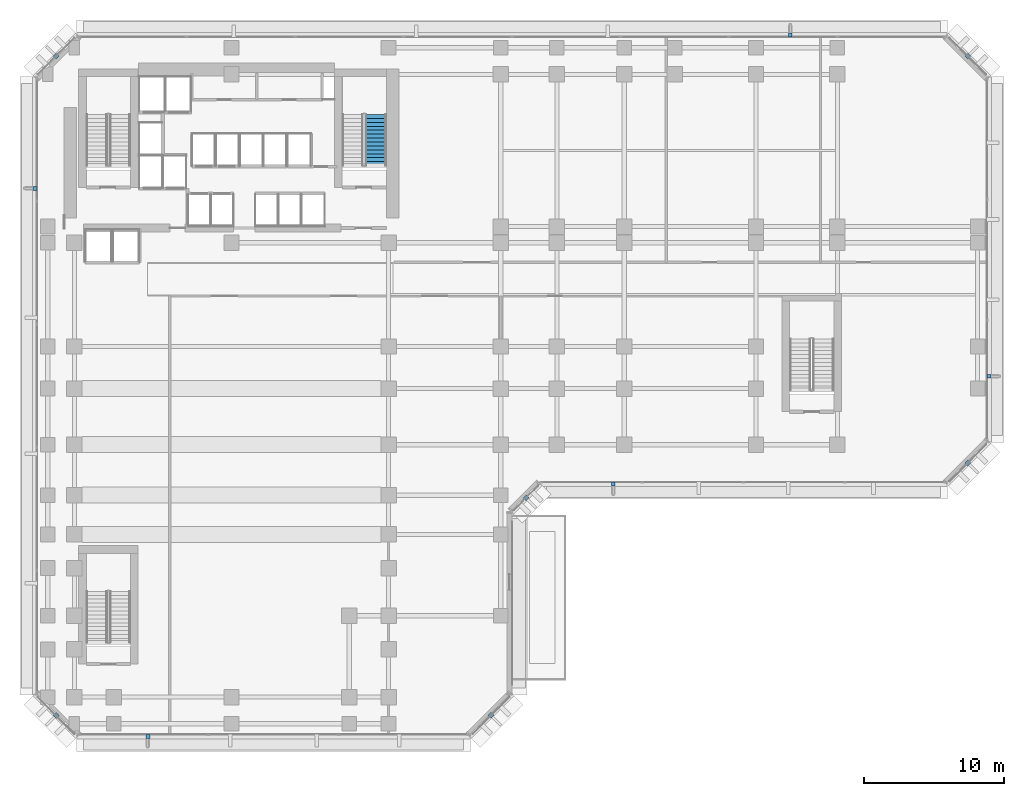
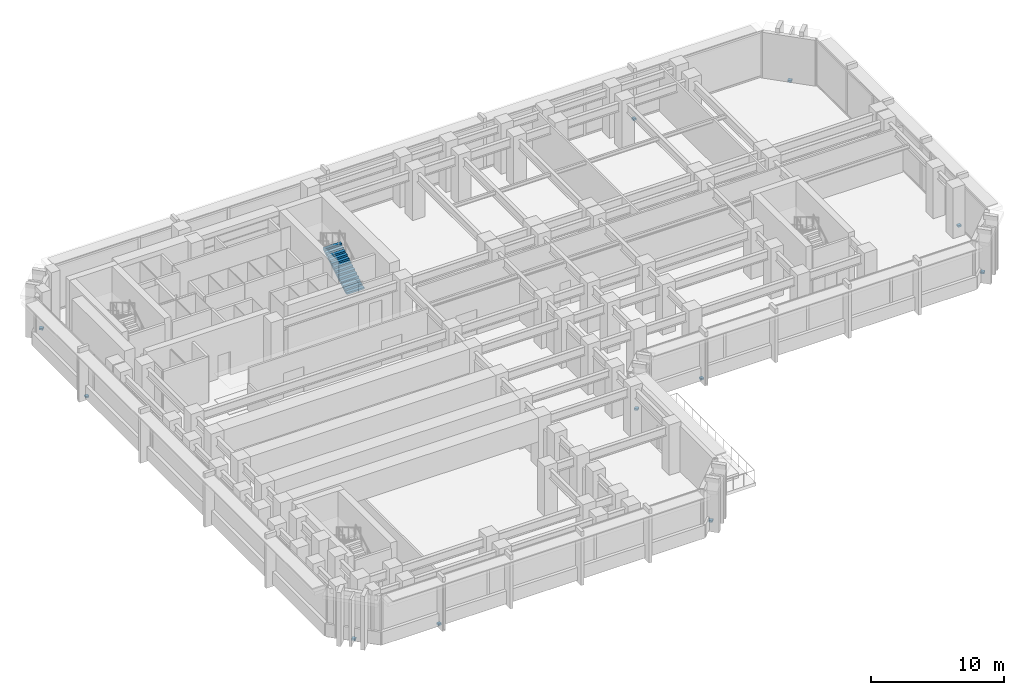
# One storey, part 9 of 16: 11 discrete accessories, 1 stair flight, 1 element without a shape of its own.
"""IFC4 building model written with IfcOpenShell, lengths in metres."""

from ifc_helpers import new_model, si_unit, direction, frame, origin, origin_2d, place, context, subcontext, project, spatial, polyline, rectangle, outline, extrude, material, layer, layer_set, type_object, element, aggregate, save


model = new_model("IFC4")

# Units and contexts
model_context = context("Model", 3, precision=1e-05, world=origin(), true_north=direction((0.0, 1.0)))
body_context = subcontext(model_context, "Body", "Model", "MODEL_VIEW")
ifc_project = project(units=[si_unit("LENGTHUNIT", "METRE"), si_unit("AREAUNIT", "SQUARE_METRE"), si_unit("VOLUMEUNIT", "CUBIC_METRE"), si_unit("PLANEANGLEUNIT", "RADIAN"), si_unit("MASSUNIT", "GRAM", prefix="KILO")], contexts=[model_context])

# Site, building, storey
site_placement = place(None, origin())
site = spatial("IfcSite", under=ifc_project, at=site_placement, CompositionType="ELEMENT")
building_placement = place(site_placement, origin())
building = spatial("IfcBuilding", under=site, at=building_placement, Name="Kefirva Bronze Tower", CompositionType="ELEMENT")
storey_placement = place(building_placement, frame((0.0, 0.0, 21.1201171875)))
storey = spatial("IfcBuildingStorey", under=building, at=storey_placement, Name="L04", CompositionType="ELEMENT", Elevation=21.1201171875)

# Stair, stair flight
ifc_material_1 = material(Name="Concrete C40/50", Category="concrete")
stair_type = type_object("IfcStairType", Name="RC Dogleg Protected Stair 28R", PredefinedType="HALF_TURN_STAIR", material=ifc_material_1)
stair_placement = place(storey_placement, origin())
stair = element("IfcStair", 1, at=stair_placement, inside=storey, type_object=stair_type, Name="L04 Protected Exit Stair 2", PredefinedType="HALF_TURN_STAIR")
stair_flight_type = type_object("IfcStairFlightType", Name="RC Straight Stair Flight 28R", PredefinedType="STRAIGHT", material=ifc_material_1)
stair_flight_placement = place(storey_placement, frame((22.300048828125, 38.699951171875, 0.0), z_axis=(0.0, 0.0, 1.0), x_axis=(0.0, 1.0, 0.0)))
stair_flight = element("IfcStairFlight", 2, at=stair_flight_placement, type_object=stair_flight_type, Name="ST-2 flight 1", NumberOfRisers=14, NumberOfTreads=13, PredefinedType="STRAIGHT", RiserHeight=0.165, TreadLength=0.28, context=body_context, shape_type="SweptSolid", body=[
    extrude(outline(polyline([(0.0, 0.0), (0.0, 0.1650390625), (0.280029296875, 0.1650390625), (0.280029296875, 0.330078125), (0.56005859375, 0.330078125), (0.56005859375, 0.4951171875), (0.840087890625, 0.4951171875), (0.840087890625, 0.659912109375), (1.1201171875, 0.659912109375), (1.1201171875, 0.824951171875), (1.39990234375, 0.824951171875), (1.39990234375, 0.989990234375), (1.679931640625, 0.989990234375), (1.679931640625, 1.155029296875), (1.9599609375, 1.155029296875), (1.9599609375, 1.320068359375), (2.239990234375, 1.320068359375), (2.239990234375, 1.485107421875), (2.52001953125, 1.485107421875), (2.52001953125, 1.64990234375), (2.800048828125, 1.64990234375), (2.800048828125, 1.81494140625), (3.080078125, 1.81494140625), (3.080078125, 1.97998046875), (3.360107421875, 1.97998046875), (3.360107421875, 2.14501953125), (3.639892578125, 2.14501953125), (3.639892578125, 2.31005859375), (3.639892578125, 1.970947265625), (0.295166015625, 0.0), (0.0, 0.0)])), frame((0.0, 0.75, 0.0), z_axis=(0.0, -1.0, 0.0), x_axis=(1.0, 0.0, 0.0)), (0.0, 0.0, 1.0), 1.5),
])
aggregate(stair, [stair_flight])

# Discrete accessories
ifc_material_2 = material(Name="Stainless steel 316", Category="steel")
ifc_layer = layer(ifc_material_2, 0.159912109375, Name="Stainless steel 316")
ifc_layer_set = layer_set([ifc_layer], Name="Stainless steel 316")
discrete_accessory_type = type_object("IfcDiscreteAccessoryType", Name="Stainless Facade Outrigger Bracket", PredefinedType="BRACKET", material=ifc_layer_set)
discrete_accessory_1_placement = place(storey_placement, frame((6.0400390625, -2.0, -0.16015625), z_axis=(0.0, 0.0, 1.0), x_axis=(1.0, 0.0, 0.0)))
element("IfcDiscreteAccessory", 3, at=discrete_accessory_1_placement, inside=storey, type_object=discrete_accessory_type, Name="L04 Rib Outrigger Bracket 1", PredefinedType="BRACKET", context=body_context, shape_type="SweptSolid", body=[
    extrude(rectangle(XDim=0.280029296875, YDim=0.280029296875, at=origin_2d()), origin(), (0.0, 0.0, 1.0), 0.159912109375),
])
for number, where, z_axis, x_axis, name in (
    (4, (30.5, -0.5, -0.16015625), (0.0, 0.0, 1.0), (0.707106781187, 0.707106781187, 0.0), "L04 Corner Fin Outrigger Bracket 6"),
    (5, (33.0, 15.0, -0.16015625), (0.0, 0.0, 1.0), (0.707106781187, 0.707106781187, 0.0), "L04 Corner Fin Outrigger Bracket 8"),
):
    element("IfcDiscreteAccessory", number, at=place(storey_placement, frame(where, z_axis=z_axis, x_axis=x_axis)), inside=storey, type_object=discrete_accessory_type, Name=name, PredefinedType="BRACKET", context=body_context, shape_type="SweptSolid", body=[
        extrude(rectangle(XDim=0.300048828125, YDim=0.300048828125, at=origin_2d()), origin(), (0.0, 0.0, 1.0), 0.159912109375),
    ])
discrete_accessory_2_placement = place(storey_placement, frame((39.219970703125, 16.0, -0.16015625), z_axis=(0.0, 0.0, 1.0), x_axis=(1.0, 0.0, 0.0)))
element("IfcDiscreteAccessory", 6, at=discrete_accessory_2_placement, inside=storey, type_object=discrete_accessory_type, Name="L04 Rib Outrigger Bracket 9", PredefinedType="BRACKET", context=body_context, shape_type="SweptSolid", body=[
    extrude(rectangle(XDim=0.280029296875, YDim=0.280029296875, at=origin_2d()), origin(), (0.0, 0.0, 1.0), 0.159912109375),
])
discrete_accessory_3_placement = place(storey_placement, frame((64.5, 17.5, -0.16015625), z_axis=(0.0, 0.0, 1.0), x_axis=(0.707106781187, 0.707106781187, 0.0)))
element("IfcDiscreteAccessory", 7, at=discrete_accessory_3_placement, inside=storey, type_object=discrete_accessory_type, Name="L04 Corner Fin Outrigger Bracket 14", PredefinedType="BRACKET", context=body_context, shape_type="SweptSolid", body=[
    extrude(rectangle(XDim=0.300048828125, YDim=0.300048828125, at=origin_2d()), origin(), (0.0, 0.0, 1.0), 0.159912109375),
])
discrete_accessory_4_placement = place(storey_placement, frame((66.0, 23.679931640625, -0.16015625), z_axis=(0.0, 0.0, 1.0), x_axis=(0.0, 1.0, 0.0)))
element("IfcDiscreteAccessory", 8, at=discrete_accessory_4_placement, inside=storey, type_object=discrete_accessory_type, Name="L04 Rib Outrigger Bracket 15", PredefinedType="BRACKET", context=body_context, shape_type="SweptSolid", body=[
    extrude(rectangle(XDim=0.280029296875, YDim=0.280029296875, at=origin_2d()), origin(), (0.0, 0.0, 1.0), 0.159912109375),
])
discrete_accessory_5_placement = place(storey_placement, frame((64.5, 46.5, -0.16015625), z_axis=(0.0, 0.0, 1.0), x_axis=(-0.707106781187, 0.707106781187, 0.0)))
element("IfcDiscreteAccessory", 9, at=discrete_accessory_5_placement, inside=storey, type_object=discrete_accessory_type, Name="L04 Corner Fin Outrigger Bracket 20", PredefinedType="BRACKET", context=body_context, shape_type="SweptSolid", body=[
    extrude(rectangle(XDim=0.300048828125, YDim=0.300048828125, at=origin_2d()), origin(), (0.0, 0.0, 1.0), 0.159912109375),
])
discrete_accessory_6_placement = place(storey_placement, frame((51.840087890625, 48.0, -0.16015625), z_axis=(0.0, 0.0, 1.0), x_axis=(-1.0, 0.0, 0.0)))
element("IfcDiscreteAccessory", 10, at=discrete_accessory_6_placement, inside=storey, type_object=discrete_accessory_type, Name="L04 Rib Outrigger Bracket 21", PredefinedType="BRACKET", context=body_context, shape_type="SweptSolid", body=[
    extrude(rectangle(XDim=0.280029296875, YDim=0.280029296875, at=origin_2d()), origin(), (0.0, 0.0, 1.0), 0.159912109375),
])
discrete_accessory_7_placement = place(storey_placement, frame((-0.5, 46.5, -0.16015625), z_axis=(0.0, 0.0, 1.0), x_axis=(-0.707106781187, -0.707106781187, 0.0)))
element("IfcDiscreteAccessory", 11, at=discrete_accessory_7_placement, inside=storey, type_object=discrete_accessory_type, Name="L04 Corner Fin Outrigger Bracket 26", PredefinedType="BRACKET", context=body_context, shape_type="SweptSolid", body=[
    extrude(rectangle(XDim=0.300048828125, YDim=0.300048828125, at=origin_2d()), origin(), (0.0, 0.0, 1.0), 0.159912109375),
])
discrete_accessory_8_placement = place(storey_placement, frame((-2.0, 37.080078125, -0.16015625), z_axis=(0.0, 0.0, 1.0), x_axis=(0.0, -1.0, 0.0)))
element("IfcDiscreteAccessory", 12, at=discrete_accessory_8_placement, inside=storey, type_object=discrete_accessory_type, Name="L04 Rib Outrigger Bracket 27", PredefinedType="BRACKET", context=body_context, shape_type="SweptSolid", body=[
    extrude(rectangle(XDim=0.280029296875, YDim=0.280029296875, at=origin_2d()), origin(), (0.0, 0.0, 1.0), 0.159912109375),
])
discrete_accessory_9_placement = place(storey_placement, frame((-0.5, -0.5, -0.16015625), z_axis=(0.0, 0.0, 1.0), x_axis=(0.707106781187, -0.707106781187, 0.0)))
element("IfcDiscreteAccessory", 13, at=discrete_accessory_9_placement, inside=storey, type_object=discrete_accessory_type, Name="L04 Corner Fin Outrigger Bracket 32", PredefinedType="BRACKET", context=body_context, shape_type="SweptSolid", body=[
    extrude(rectangle(XDim=0.300048828125, YDim=0.300048828125, at=origin_2d()), origin(), (0.0, 0.0, 1.0), 0.159912109375),
])

save(model, "model.ifc")
